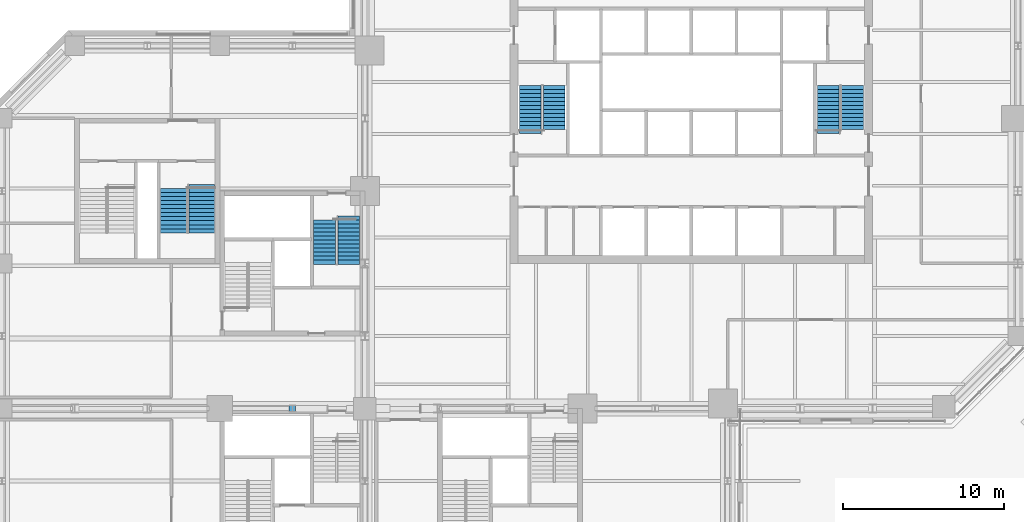
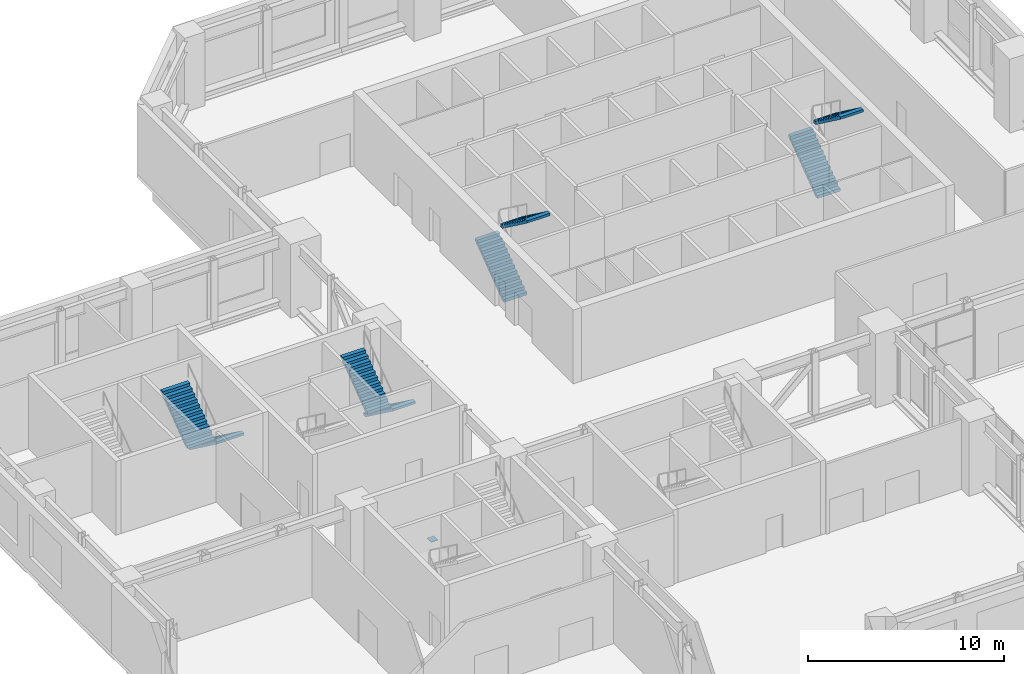
# One storey, part 18 of 21: 8 stair flights, 1 discrete accessory, 4 elements without a shape of their own.
"""IFC4 building model written with IfcOpenShell, lengths in metres."""

from ifc_helpers import new_model, si_unit, direction, frame, origin, origin_2d, place, context, subcontext, project, spatial, polyline, rectangle, outline, extrude, material, type_object, element, aggregate, save


model = new_model("IFC4")

# Units and contexts
model_context = context("Model", 3, precision=1e-05, world=origin(), true_north=direction((0.0, 1.0)))
body_context = subcontext(model_context, "Body", "Model", "MODEL_VIEW")
ifc_project = project(units=[si_unit("LENGTHUNIT", "METRE"), si_unit("AREAUNIT", "SQUARE_METRE"), si_unit("VOLUMEUNIT", "CUBIC_METRE"), si_unit("PLANEANGLEUNIT", "RADIAN"), si_unit("MASSUNIT", "GRAM", prefix="KILO")], contexts=[model_context])

# Site, building, storey
site_placement = place(None, origin())
site = spatial("IfcSite", under=ifc_project, at=site_placement, CompositionType="ELEMENT")
building_placement = place(site_placement, origin())
building = spatial("IfcBuilding", under=site, at=building_placement, Name="Quoin Convention Tower", CompositionType="ELEMENT")
storey_placement = place(building_placement, frame((0.0, 0.0, 18.5)))
storey = spatial("IfcBuildingStorey", under=building, at=storey_placement, Name="L03", CompositionType="ELEMENT", Elevation=18.5)

# Stair, stair flights
ifc_material_1 = material(Name="Concrete C40", Category="concrete")
stair_type_1 = type_object("IfcStairType", Name="Exit stair two-flight 1350", PredefinedType="HALF_TURN_STAIR", material=ifc_material_1)
stair_1_placement = place(storey_placement, origin())
stair_1 = element("IfcStair", 1, at=stair_1_placement, inside=storey, type_object=stair_type_1, Name="SD1 L03", PredefinedType="HALF_TURN_STAIR")
stair_flight_type_1 = type_object("IfcStairFlightType", Name="Stair flight 1350", PredefinedType="STRAIGHT", material=ifc_material_1)
stair_flight_1_placement = place(storey_placement, frame((46.25, 57.550048828125, 0.0), z_axis=(0.0, 0.0, 1.0), x_axis=(0.0, 1.0, 0.0)))
stair_flight_1 = element("IfcStairFlight", 2, at=stair_flight_1_placement, type_object=stair_flight_type_1, Name="ST1 flight 1", NumberOfRisers=13, NumberOfTreads=12, PredefinedType="STRAIGHT", RiserHeight=0.184, TreadLength=0.25, context=body_context, shape_type="SweptSolid", body=[
    extrude(outline(polyline([(0.0, 0.0), (0.0, 0.18408203125), (0.25, 0.18408203125), (0.25, 0.367919921875), (0.5, 0.367919921875), (0.5, 0.552001953125), (0.75, 0.552001953125), (0.75, 0.736083984375), (1.0, 0.736083984375), (1.0, 0.919921875), (1.25, 0.919921875), (1.25, 1.10400390625), (1.5, 1.10400390625), (1.5, 1.2880859375), (1.75, 1.2880859375), (1.75, 1.471923828125), (2.0, 1.471923828125), (2.0, 1.656005859375), (2.25, 1.656005859375), (2.25, 1.840087890625), (2.5, 1.840087890625), (2.5, 2.02392578125), (2.75, 2.02392578125), (2.75, 2.2080078125), (3.0, 2.2080078125), (3.0, 2.39208984375), (3.0, 2.058837890625), (0.20263671875, 0.0), (0.0, 0.0)])), frame((0.0, 0.675048828125, 0.0), z_axis=(0.0, -1.0, 0.0), x_axis=(1.0, 0.0, 0.0)), (0.0, 0.0, 1.0), 1.35009765625),
])
stair_flight_2_placement = place(storey_placement, frame((47.75, 60.550048828125, 2.39208984375), z_axis=(0.0, 0.0, 1.0), x_axis=(0.0, -1.0, 0.0)))
stair_flight_2 = element("IfcStairFlight", 3, at=stair_flight_2_placement, type_object=stair_flight_type_1, Name="ST1 flight 2", NumberOfRisers=12, NumberOfTreads=11, PredefinedType="STRAIGHT", RiserHeight=0.184, TreadLength=0.25, context=body_context, shape_type="SweptSolid", body=[
    extrude(outline(polyline([(0.0, 0.0), (0.0, 0.18408203125), (0.25, 0.18408203125), (0.25, 0.367919921875), (0.5, 0.367919921875), (0.5, 0.552001953125), (0.75, 0.552001953125), (0.75, 0.736083984375), (1.0, 0.736083984375), (1.0, 0.919921875), (1.25, 0.919921875), (1.25, 1.10400390625), (1.5, 1.10400390625), (1.5, 1.2880859375), (1.75, 1.2880859375), (1.75, 1.471923828125), (2.0, 1.471923828125), (2.0, 1.656005859375), (2.25, 1.656005859375), (2.25, 1.840087890625), (2.5, 1.840087890625), (2.5, 2.02392578125), (2.75, 2.02392578125), (2.75, 2.2080078125), (2.75, 1.874755859375), (0.20263671875, 0.0), (0.0, 0.0)])), frame((0.0, 0.675048828125, 0.0), z_axis=(0.0, -1.0, 0.0), x_axis=(1.0, 0.0, 0.0)), (0.0, 0.0, 1.0), 1.35009765625),
])
aggregate(stair_1, [stair_flight_1, stair_flight_2])

stair_2_placement = place(storey_placement, origin())
stair_2 = element("IfcStair", 4, at=stair_2_placement, inside=storey, type_object=stair_type_1, Name="SD2 L03", PredefinedType="HALF_TURN_STAIR")
stair_flight_3_placement = place(storey_placement, frame((64.75, 57.550048828125, 0.0), z_axis=(0.0, 0.0, 1.0), x_axis=(0.0, 1.0, 0.0)))
stair_flight_3 = element("IfcStairFlight", 5, at=stair_flight_3_placement, type_object=stair_flight_type_1, Name="ST2 flight 1", NumberOfRisers=13, NumberOfTreads=12, PredefinedType="STRAIGHT", RiserHeight=0.184, TreadLength=0.25, context=body_context, shape_type="SweptSolid", body=[
    extrude(outline(polyline([(0.0, 0.0), (0.0, 0.18408203125), (0.25, 0.18408203125), (0.25, 0.367919921875), (0.5, 0.367919921875), (0.5, 0.552001953125), (0.75, 0.552001953125), (0.75, 0.736083984375), (1.0, 0.736083984375), (1.0, 0.919921875), (1.25, 0.919921875), (1.25, 1.10400390625), (1.5, 1.10400390625), (1.5, 1.2880859375), (1.75, 1.2880859375), (1.75, 1.471923828125), (2.0, 1.471923828125), (2.0, 1.656005859375), (2.25, 1.656005859375), (2.25, 1.840087890625), (2.5, 1.840087890625), (2.5, 2.02392578125), (2.75, 2.02392578125), (2.75, 2.2080078125), (3.0, 2.2080078125), (3.0, 2.39208984375), (3.0, 2.058837890625), (0.20263671875, 0.0), (0.0, 0.0)])), frame((0.0, 0.675048828125, 0.0), z_axis=(0.0, -1.0, 0.0), x_axis=(1.0, 0.0, 0.0)), (0.0, 0.0, 1.0), 1.35009765625),
])
stair_flight_4_placement = place(storey_placement, frame((66.25, 60.550048828125, 2.39208984375), z_axis=(0.0, 0.0, 1.0), x_axis=(0.0, -1.0, 0.0)))
stair_flight_4 = element("IfcStairFlight", 6, at=stair_flight_4_placement, type_object=stair_flight_type_1, Name="ST2 flight 2", NumberOfRisers=12, NumberOfTreads=11, PredefinedType="STRAIGHT", RiserHeight=0.184, TreadLength=0.25, context=body_context, shape_type="SweptSolid", body=[
    extrude(outline(polyline([(0.0, 0.0), (0.0, 0.18408203125), (0.25, 0.18408203125), (0.25, 0.367919921875), (0.5, 0.367919921875), (0.5, 0.552001953125), (0.75, 0.552001953125), (0.75, 0.736083984375), (1.0, 0.736083984375), (1.0, 0.919921875), (1.25, 0.919921875), (1.25, 1.10400390625), (1.5, 1.10400390625), (1.5, 1.2880859375), (1.75, 1.2880859375), (1.75, 1.471923828125), (2.0, 1.471923828125), (2.0, 1.656005859375), (2.25, 1.656005859375), (2.25, 1.840087890625), (2.5, 1.840087890625), (2.5, 2.02392578125), (2.75, 2.02392578125), (2.75, 2.2080078125), (2.75, 1.874755859375), (0.20263671875, 0.0), (0.0, 0.0)])), frame((0.0, 0.675048828125, 0.0), z_axis=(0.0, -1.0, 0.0), x_axis=(1.0, 0.0, 0.0)), (0.0, 0.0, 1.0), 1.35009765625),
])
aggregate(stair_2, [stair_flight_3, stair_flight_4])

stair_3_placement = place(storey_placement, origin())
stair_3 = element("IfcStair", 7, at=stair_3_placement, inside=storey, type_object=stair_type_1, Name="SD4 L03", PredefinedType="HALF_TURN_STAIR")
stair_flight_5_placement = place(storey_placement, frame((35.0, 52.449951171875, 0.0), z_axis=(0.0, 0.0, 1.0), x_axis=(0.0, -1.0, 0.0)))
stair_flight_5 = element("IfcStairFlight", 8, at=stair_flight_5_placement, type_object=stair_flight_type_1, Name="ST4 flight 1", NumberOfRisers=13, NumberOfTreads=12, PredefinedType="STRAIGHT", RiserHeight=0.184, TreadLength=0.25, context=body_context, shape_type="SweptSolid", body=[
    extrude(outline(polyline([(0.0, 0.0), (0.0, 0.18408203125), (0.25, 0.18408203125), (0.25, 0.367919921875), (0.5, 0.367919921875), (0.5, 0.552001953125), (0.75, 0.552001953125), (0.75, 0.736083984375), (1.0, 0.736083984375), (1.0, 0.919921875), (1.25, 0.919921875), (1.25, 1.10400390625), (1.5, 1.10400390625), (1.5, 1.2880859375), (1.75, 1.2880859375), (1.75, 1.471923828125), (2.0, 1.471923828125), (2.0, 1.656005859375), (2.25, 1.656005859375), (2.25, 1.840087890625), (2.5, 1.840087890625), (2.5, 2.02392578125), (2.75, 2.02392578125), (2.75, 2.2080078125), (3.0, 2.2080078125), (3.0, 2.39208984375), (3.0, 2.058837890625), (0.20263671875, 0.0), (0.0, 0.0)])), frame((0.0, 0.675048828125, 0.0), z_axis=(0.0, -1.0, 0.0), x_axis=(1.0, 0.0, 0.0)), (0.0, 0.0, 1.0), 1.35009765625),
])
stair_flight_6_placement = place(storey_placement, frame((33.5, 49.449951171875, 2.39208984375), z_axis=(0.0, 0.0, 1.0), x_axis=(0.0, 1.0, 0.0)))
stair_flight_6 = element("IfcStairFlight", 9, at=stair_flight_6_placement, type_object=stair_flight_type_1, Name="ST4 flight 2", NumberOfRisers=12, NumberOfTreads=11, PredefinedType="STRAIGHT", RiserHeight=0.184, TreadLength=0.25, context=body_context, shape_type="SweptSolid", body=[
    extrude(outline(polyline([(0.0, 0.0), (0.0, 0.18408203125), (0.25, 0.18408203125), (0.25, 0.367919921875), (0.5, 0.367919921875), (0.5, 0.552001953125), (0.75, 0.552001953125), (0.75, 0.736083984375), (1.0, 0.736083984375), (1.0, 0.919921875), (1.25, 0.919921875), (1.25, 1.10400390625), (1.5, 1.10400390625), (1.5, 1.2880859375), (1.75, 1.2880859375), (1.75, 1.471923828125), (2.0, 1.471923828125), (2.0, 1.656005859375), (2.25, 1.656005859375), (2.25, 1.840087890625), (2.5, 1.840087890625), (2.5, 2.02392578125), (2.75, 2.02392578125), (2.75, 2.2080078125), (2.75, 1.874755859375), (0.20263671875, 0.0), (0.0, 0.0)])), frame((0.0, 0.675048828125, 0.0), z_axis=(0.0, -1.0, 0.0), x_axis=(1.0, 0.0, 0.0)), (0.0, 0.0, 1.0), 1.35009765625),
])
aggregate(stair_3, [stair_flight_5, stair_flight_6])

stair_type_2 = type_object("IfcStairType", Name="Exit stair two-flight 1600", PredefinedType="HALF_TURN_STAIR", material=ifc_material_1)
stair_4_placement = place(storey_placement, origin())
stair_4 = element("IfcStair", 10, at=stair_4_placement, inside=storey, type_object=stair_type_2, Name="SD12 L03", PredefinedType="HALF_TURN_STAIR")
stair_flight_type_2 = type_object("IfcStairFlightType", Name="Stair flight 1600", PredefinedType="STRAIGHT", material=ifc_material_1)
stair_flight_7_placement = place(storey_placement, frame((25.875, 54.39990234375, 0.0), z_axis=(0.0, 0.0, 1.0), x_axis=(0.0, -1.0, 0.0)))
stair_flight_7 = element("IfcStairFlight", 11, at=stair_flight_7_placement, type_object=stair_flight_type_2, Name="ST12 flight 1", NumberOfRisers=13, NumberOfTreads=12, PredefinedType="STRAIGHT", RiserHeight=0.184, TreadLength=0.25, context=body_context, shape_type="SweptSolid", body=[
    extrude(outline(polyline([(0.0, 0.0), (0.0, 0.18408203125), (0.25, 0.18408203125), (0.25, 0.367919921875), (0.5, 0.367919921875), (0.5, 0.552001953125), (0.75, 0.552001953125), (0.75, 0.736083984375), (1.0, 0.736083984375), (1.0, 0.919921875), (1.25, 0.919921875), (1.25, 1.10400390625), (1.5, 1.10400390625), (1.5, 1.2880859375), (1.75, 1.2880859375), (1.75, 1.471923828125), (2.0, 1.471923828125), (2.0, 1.656005859375), (2.25, 1.656005859375), (2.25, 1.840087890625), (2.5, 1.840087890625), (2.5, 2.02392578125), (2.75, 2.02392578125), (2.75, 2.2080078125), (3.0, 2.2080078125), (3.0, 2.39208984375), (3.0, 2.058837890625), (0.20263671875, 0.0), (0.0, 0.0)])), frame((0.0, 0.800048828125, 0.0), z_axis=(0.0, -1.0, 0.0), x_axis=(1.0, 0.0, 0.0)), (0.0, 0.0, 1.0), 1.60009765625),
])
stair_flight_8_placement = place(storey_placement, frame((24.125, 51.39990234375, 2.39208984375), z_axis=(0.0, 0.0, 1.0), x_axis=(0.0, 1.0, 0.0)))
stair_flight_8 = element("IfcStairFlight", 12, at=stair_flight_8_placement, type_object=stair_flight_type_2, Name="ST12 flight 2", NumberOfRisers=12, NumberOfTreads=11, PredefinedType="STRAIGHT", RiserHeight=0.184, TreadLength=0.25, context=body_context, shape_type="SweptSolid", body=[
    extrude(outline(polyline([(0.0, 0.0), (0.0, 0.18408203125), (0.25, 0.18408203125), (0.25, 0.367919921875), (0.5, 0.367919921875), (0.5, 0.552001953125), (0.75, 0.552001953125), (0.75, 0.736083984375), (1.0, 0.736083984375), (1.0, 0.919921875), (1.25, 0.919921875), (1.25, 1.10400390625), (1.5, 1.10400390625), (1.5, 1.2880859375), (1.75, 1.2880859375), (1.75, 1.471923828125), (2.0, 1.471923828125), (2.0, 1.656005859375), (2.25, 1.656005859375), (2.25, 1.840087890625), (2.5, 1.840087890625), (2.5, 2.02392578125), (2.75, 2.02392578125), (2.75, 2.2080078125), (2.75, 1.874755859375), (0.20263671875, 0.0), (0.0, 0.0)])), frame((0.0, 0.800048828125, 0.0), z_axis=(0.0, -1.0, 0.0), x_axis=(1.0, 0.0, 0.0)), (0.0, 0.0, 1.0), 1.60009765625),
])
aggregate(stair_4, [stair_flight_7, stair_flight_8])

# Discrete accessory
ifc_material_2 = material(Name="Steel Grade 350", Category="steel")
discrete_accessory_placement = place(storey_placement, frame((31.5, 40.5, 0.48388671875), z_axis=(0.0, 0.0, 1.0), x_axis=(1.0, 0.0, 0.0)))
element("IfcDiscreteAccessory", 13, at=discrete_accessory_placement, inside=storey, material=ifc_material_2, Name="TRUSS END PLATE TRS-L03-PS-31500_40500 A", ObjectType="Truss end plate", PredefinedType="USERDEFINED", context=body_context, shape_type="SweptSolid", body=[
    extrude(rectangle(XDim=0.39990234375, YDim=0.422119140625, at=origin_2d()), origin(), (0.0, 0.0, 1.0), 0.030029296875),
])

save(model, "model.ifc")
